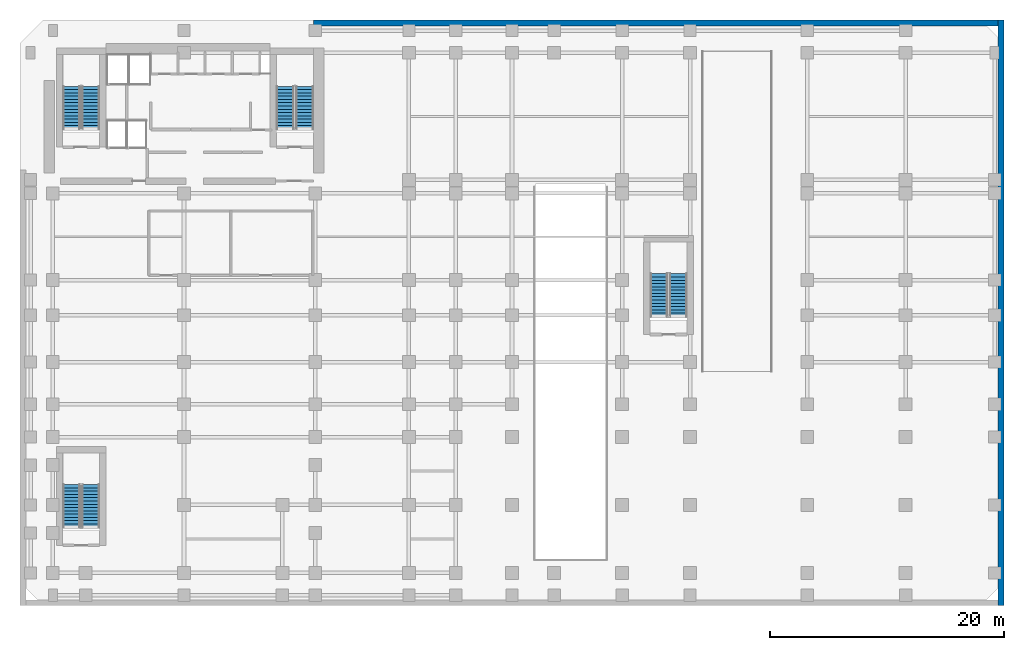
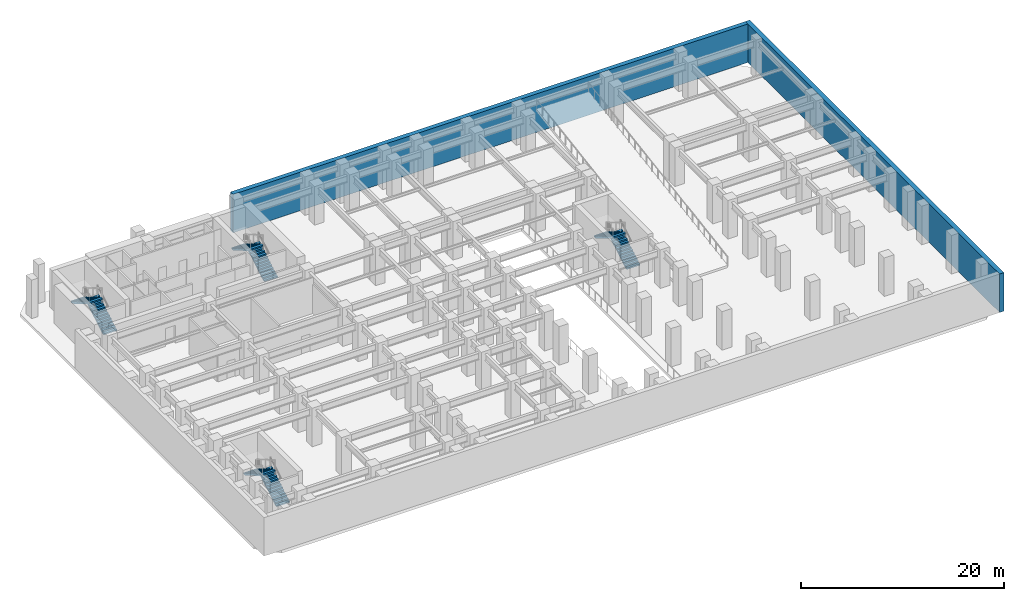
# One storey, part 8 of 12: 8 stair flights, 2 walls, 4 elements without a shape of their own.
"""IFC4 building model written with IfcOpenShell, lengths in metres."""

from ifc_helpers import new_model, si_unit, direction, frame, frame_2d, origin, place, context, subcontext, project, spatial, polyline, rectangle, outline, extrude, material, layer, layer_set, type_object, element, aggregate, save


model = new_model("IFC4")

# Units and contexts
model_context = context("Model", 3, precision=1e-05, world=origin(), true_north=direction((0.0, 1.0)))
body_context = subcontext(model_context, "Body", "Model", "MODEL_VIEW")
ifc_project = project(units=[si_unit("LENGTHUNIT", "METRE"), si_unit("AREAUNIT", "SQUARE_METRE"), si_unit("VOLUMEUNIT", "CUBIC_METRE"), si_unit("PLANEANGLEUNIT", "RADIAN"), si_unit("MASSUNIT", "GRAM", prefix="KILO")], contexts=[model_context])

# Site, building, storey
site_placement = place(None, origin())
site = spatial("IfcSite", under=ifc_project, at=site_placement, CompositionType="ELEMENT")
building_placement = place(site_placement, origin())
building = spatial("IfcBuilding", under=site, at=building_placement, Name="Kefirva Bronze Tower", CompositionType="ELEMENT")
storey_placement = place(building_placement, frame((0.0, 0.0, -4.6201171875)))
storey = spatial("IfcBuildingStorey", under=building, at=storey_placement, Name="B1", CompositionType="ELEMENT", Elevation=-4.6201171875)

# Walls
ifc_material = material(Name="Concrete C40/50", Category="concrete")
ifc_layer = layer(ifc_material, 0.5, Name="Concrete C40/50")
ifc_layer_set = layer_set([ifc_layer], Name="Concrete C40/50")
wall_type = type_object("IfcWallType", Name="RC Basement Retaining Wall 500mm", PredefinedType="SOLIDWALL", material=ifc_layer_set)
wall_1_placement = place(storey_placement, frame((81.75, -2.0, 0.0), z_axis=(0.0, 0.0, 1.0), x_axis=(0.0, 1.0, 0.0)))
element("IfcWall", 1, at=wall_1_placement, inside=storey, type_object=wall_type, Name="B1 E Retaining Wall", PredefinedType="SOLIDWALL", context=body_context, shape_type="SweptSolid", body=[
    extrude(rectangle(XDim=50.0, YDim=0.5, at=frame_2d((25.0, 0.0))), origin(), (0.0, 0.0, 1.0), 4.6201171875),
])
wall_2_placement = place(storey_placement, frame((82.0, 47.75, 0.0), z_axis=(0.0, 0.0, 1.0), x_axis=(-1.0, 0.0, 0.0)))
element("IfcWall", 2, at=wall_2_placement, inside=storey, type_object=wall_type, Name="B1 N Retaining Wall", PredefinedType="SOLIDWALL", context=body_context, shape_type="SweptSolid", body=[
    extrude(rectangle(XDim=58.949951171875, YDim=0.5, at=frame_2d((29.47509765625, 0.0))), origin(), (0.0, 0.0, 1.0), 4.6201171875),
])

# Stair, stair flights
stair_type = type_object("IfcStairType", Name="RC Dogleg Protected Stair 28R", PredefinedType="HALF_TURN_STAIR", material=ifc_material)
stair_1_placement = place(storey_placement, origin())
stair_1 = element("IfcStair", 3, at=stair_1_placement, inside=storey, type_object=stair_type, Name="B1 Protected Exit Stair 1", PredefinedType="HALF_TURN_STAIR")
stair_flight_type = type_object("IfcStairFlightType", Name="RC Straight Stair Flight 28R", PredefinedType="STRAIGHT", material=ifc_material)
stair_flight_1_placement = place(storey_placement, frame((4.050048828125, 38.699951171875, 0.0), z_axis=(0.0, 0.0, 1.0), x_axis=(0.0, 1.0, 0.0)))
stair_flight_1 = element("IfcStairFlight", 4, at=stair_flight_1_placement, type_object=stair_flight_type, Name="ST-1 flight 1", NumberOfRisers=14, NumberOfTreads=13, PredefinedType="STRAIGHT", RiserHeight=0.165, TreadLength=0.28, context=body_context, shape_type="SweptSolid", body=[
    extrude(outline(polyline([(0.0, 0.0), (0.0, 0.1650390625), (0.280029296875, 0.1650390625), (0.280029296875, 0.330078125), (0.56005859375, 0.330078125), (0.56005859375, 0.4951171875), (0.840087890625, 0.4951171875), (0.840087890625, 0.659912109375), (1.1201171875, 0.659912109375), (1.1201171875, 0.824951171875), (1.39990234375, 0.824951171875), (1.39990234375, 0.989990234375), (1.679931640625, 0.989990234375), (1.679931640625, 1.155029296875), (1.9599609375, 1.155029296875), (1.9599609375, 1.320068359375), (2.239990234375, 1.320068359375), (2.239990234375, 1.485107421875), (2.52001953125, 1.485107421875), (2.52001953125, 1.64990234375), (2.800048828125, 1.64990234375), (2.800048828125, 1.81494140625), (3.080078125, 1.81494140625), (3.080078125, 1.97998046875), (3.360107421875, 1.97998046875), (3.360107421875, 2.14501953125), (3.639892578125, 2.14501953125), (3.639892578125, 2.31005859375), (3.639892578125, 1.970947265625), (0.295166015625, 0.0), (0.0, 0.0)])), frame((0.0, 0.75, 0.0), z_axis=(0.0, -1.0, 0.0), x_axis=(1.0, 0.0, 0.0)), (0.0, 0.0, 1.0), 1.5),
])
stair_flight_2_placement = place(storey_placement, frame((2.39990234375, 42.340087890625, 2.31005859375), z_axis=(0.0, 0.0, 1.0), x_axis=(0.0, -1.0, 0.0)))
stair_flight_2 = element("IfcStairFlight", 5, at=stair_flight_2_placement, type_object=stair_flight_type, Name="ST-1 flight 2", NumberOfRisers=14, NumberOfTreads=13, PredefinedType="STRAIGHT", RiserHeight=0.165, TreadLength=0.28, context=body_context, shape_type="SweptSolid", body=[
    extrude(outline(polyline([(0.0, 0.0), (0.0, 0.1650390625), (0.280029296875, 0.1650390625), (0.280029296875, 0.330078125), (0.56005859375, 0.330078125), (0.56005859375, 0.4951171875), (0.840087890625, 0.4951171875), (0.840087890625, 0.659912109375), (1.1201171875, 0.659912109375), (1.1201171875, 0.824951171875), (1.39990234375, 0.824951171875), (1.39990234375, 0.989990234375), (1.679931640625, 0.989990234375), (1.679931640625, 1.155029296875), (1.9599609375, 1.155029296875), (1.9599609375, 1.320068359375), (2.239990234375, 1.320068359375), (2.239990234375, 1.485107421875), (2.52001953125, 1.485107421875), (2.52001953125, 1.64990234375), (2.800048828125, 1.64990234375), (2.800048828125, 1.81494140625), (3.080078125, 1.81494140625), (3.080078125, 1.97998046875), (3.360107421875, 1.97998046875), (3.360107421875, 2.14501953125), (3.639892578125, 2.14501953125), (3.639892578125, 2.31005859375), (3.639892578125, 1.970947265625), (0.295166015625, 0.0), (0.0, 0.0)])), frame((0.0, 0.75, 0.0), z_axis=(0.0, -1.0, 0.0), x_axis=(1.0, 0.0, 0.0)), (0.0, 0.0, 1.0), 1.5),
])
aggregate(stair_1, [stair_flight_1, stair_flight_2])

stair_2_placement = place(storey_placement, origin())
stair_2 = element("IfcStair", 6, at=stair_2_placement, inside=storey, type_object=stair_type, Name="B1 Protected Exit Stair 2", PredefinedType="HALF_TURN_STAIR")
stair_flight_3_placement = place(storey_placement, frame((22.300048828125, 38.699951171875, 0.0), z_axis=(0.0, 0.0, 1.0), x_axis=(0.0, 1.0, 0.0)))
stair_flight_3 = element("IfcStairFlight", 7, at=stair_flight_3_placement, type_object=stair_flight_type, Name="ST-2 flight 1", NumberOfRisers=14, NumberOfTreads=13, PredefinedType="STRAIGHT", RiserHeight=0.165, TreadLength=0.28, context=body_context, shape_type="SweptSolid", body=[
    extrude(outline(polyline([(0.0, 0.0), (0.0, 0.1650390625), (0.280029296875, 0.1650390625), (0.280029296875, 0.330078125), (0.56005859375, 0.330078125), (0.56005859375, 0.4951171875), (0.840087890625, 0.4951171875), (0.840087890625, 0.659912109375), (1.1201171875, 0.659912109375), (1.1201171875, 0.824951171875), (1.39990234375, 0.824951171875), (1.39990234375, 0.989990234375), (1.679931640625, 0.989990234375), (1.679931640625, 1.155029296875), (1.9599609375, 1.155029296875), (1.9599609375, 1.320068359375), (2.239990234375, 1.320068359375), (2.239990234375, 1.485107421875), (2.52001953125, 1.485107421875), (2.52001953125, 1.64990234375), (2.800048828125, 1.64990234375), (2.800048828125, 1.81494140625), (3.080078125, 1.81494140625), (3.080078125, 1.97998046875), (3.360107421875, 1.97998046875), (3.360107421875, 2.14501953125), (3.639892578125, 2.14501953125), (3.639892578125, 2.31005859375), (3.639892578125, 1.970947265625), (0.295166015625, 0.0), (0.0, 0.0)])), frame((0.0, 0.75, 0.0), z_axis=(0.0, -1.0, 0.0), x_axis=(1.0, 0.0, 0.0)), (0.0, 0.0, 1.0), 1.5),
])
stair_flight_4_placement = place(storey_placement, frame((20.64990234375, 42.340087890625, 2.31005859375), z_axis=(0.0, 0.0, 1.0), x_axis=(0.0, -1.0, 0.0)))
stair_flight_4 = element("IfcStairFlight", 8, at=stair_flight_4_placement, type_object=stair_flight_type, Name="ST-2 flight 2", NumberOfRisers=14, NumberOfTreads=13, PredefinedType="STRAIGHT", RiserHeight=0.165, TreadLength=0.28, context=body_context, shape_type="SweptSolid", body=[
    extrude(outline(polyline([(0.0, 0.0), (0.0, 0.1650390625), (0.280029296875, 0.1650390625), (0.280029296875, 0.330078125), (0.56005859375, 0.330078125), (0.56005859375, 0.4951171875), (0.840087890625, 0.4951171875), (0.840087890625, 0.659912109375), (1.1201171875, 0.659912109375), (1.1201171875, 0.824951171875), (1.39990234375, 0.824951171875), (1.39990234375, 0.989990234375), (1.679931640625, 0.989990234375), (1.679931640625, 1.155029296875), (1.9599609375, 1.155029296875), (1.9599609375, 1.320068359375), (2.239990234375, 1.320068359375), (2.239990234375, 1.485107421875), (2.52001953125, 1.485107421875), (2.52001953125, 1.64990234375), (2.800048828125, 1.64990234375), (2.800048828125, 1.81494140625), (3.080078125, 1.81494140625), (3.080078125, 1.97998046875), (3.360107421875, 1.97998046875), (3.360107421875, 2.14501953125), (3.639892578125, 2.14501953125), (3.639892578125, 2.31005859375), (3.639892578125, 1.970947265625), (0.295166015625, 0.0), (0.0, 0.0)])), frame((0.0, 0.75, 0.0), z_axis=(0.0, -1.0, 0.0), x_axis=(1.0, 0.0, 0.0)), (0.0, 0.0, 1.0), 1.5),
])
aggregate(stair_2, [stair_flight_3, stair_flight_4])

stair_3_placement = place(storey_placement, origin())
stair_3 = element("IfcStair", 9, at=stair_3_placement, inside=storey, type_object=stair_type, Name="B1 Podium Exit Stair 3", PredefinedType="HALF_TURN_STAIR")
stair_flight_5_placement = place(storey_placement, frame((4.050048828125, 4.699951171875, 0.0), z_axis=(0.0, 0.0, 1.0), x_axis=(0.0, 1.0, 0.0)))
stair_flight_5 = element("IfcStairFlight", 10, at=stair_flight_5_placement, type_object=stair_flight_type, Name="ST-3 flight 1", NumberOfRisers=14, NumberOfTreads=13, PredefinedType="STRAIGHT", RiserHeight=0.165, TreadLength=0.28, context=body_context, shape_type="SweptSolid", body=[
    extrude(outline(polyline([(0.0, 0.0), (0.0, 0.1650390625), (0.280029296875, 0.1650390625), (0.280029296875, 0.330078125), (0.56005859375, 0.330078125), (0.56005859375, 0.4951171875), (0.840087890625, 0.4951171875), (0.840087890625, 0.659912109375), (1.1201171875, 0.659912109375), (1.1201171875, 0.824951171875), (1.39990234375, 0.824951171875), (1.39990234375, 0.989990234375), (1.679931640625, 0.989990234375), (1.679931640625, 1.155029296875), (1.9599609375, 1.155029296875), (1.9599609375, 1.320068359375), (2.239990234375, 1.320068359375), (2.239990234375, 1.485107421875), (2.52001953125, 1.485107421875), (2.52001953125, 1.64990234375), (2.800048828125, 1.64990234375), (2.800048828125, 1.81494140625), (3.080078125, 1.81494140625), (3.080078125, 1.97998046875), (3.360107421875, 1.97998046875), (3.360107421875, 2.14501953125), (3.639892578125, 2.14501953125), (3.639892578125, 2.31005859375), (3.639892578125, 1.970947265625), (0.295166015625, 0.0), (0.0, 0.0)])), frame((0.0, 0.75, 0.0), z_axis=(0.0, -1.0, 0.0), x_axis=(1.0, 0.0, 0.0)), (0.0, 0.0, 1.0), 1.5),
])
stair_flight_6_placement = place(storey_placement, frame((2.39990234375, 8.340087890625, 2.31005859375), z_axis=(0.0, 0.0, 1.0), x_axis=(0.0, -1.0, 0.0)))
stair_flight_6 = element("IfcStairFlight", 11, at=stair_flight_6_placement, type_object=stair_flight_type, Name="ST-3 flight 2", NumberOfRisers=14, NumberOfTreads=13, PredefinedType="STRAIGHT", RiserHeight=0.165, TreadLength=0.28, context=body_context, shape_type="SweptSolid", body=[
    extrude(outline(polyline([(0.0, 0.0), (0.0, 0.1650390625), (0.280029296875, 0.1650390625), (0.280029296875, 0.330078125), (0.56005859375, 0.330078125), (0.56005859375, 0.4951171875), (0.840087890625, 0.4951171875), (0.840087890625, 0.659912109375), (1.1201171875, 0.659912109375), (1.1201171875, 0.824951171875), (1.39990234375, 0.824951171875), (1.39990234375, 0.989990234375), (1.679931640625, 0.989990234375), (1.679931640625, 1.155029296875), (1.9599609375, 1.155029296875), (1.9599609375, 1.320068359375), (2.239990234375, 1.320068359375), (2.239990234375, 1.485107421875), (2.52001953125, 1.485107421875), (2.52001953125, 1.64990234375), (2.800048828125, 1.64990234375), (2.800048828125, 1.81494140625), (3.080078125, 1.81494140625), (3.080078125, 1.97998046875), (3.360107421875, 1.97998046875), (3.360107421875, 2.14501953125), (3.639892578125, 2.14501953125), (3.639892578125, 2.31005859375), (3.639892578125, 1.970947265625), (0.295166015625, 0.0), (0.0, 0.0)])), frame((0.0, 0.75, 0.0), z_axis=(0.0, -1.0, 0.0), x_axis=(1.0, 0.0, 0.0)), (0.0, 0.0, 1.0), 1.5),
])
aggregate(stair_3, [stair_flight_5, stair_flight_6])

stair_4_placement = place(storey_placement, origin())
stair_4 = element("IfcStair", 12, at=stair_4_placement, inside=storey, type_object=stair_type, Name="B1 Podium Exit Stair 4", PredefinedType="HALF_TURN_STAIR")
stair_flight_7_placement = place(storey_placement, frame((54.199951171875, 22.699951171875, 0.0), z_axis=(0.0, 0.0, 1.0), x_axis=(0.0, 1.0, 0.0)))
stair_flight_7 = element("IfcStairFlight", 13, at=stair_flight_7_placement, type_object=stair_flight_type, Name="ST-4 flight 1", NumberOfRisers=14, NumberOfTreads=13, PredefinedType="STRAIGHT", RiserHeight=0.165, TreadLength=0.28, context=body_context, shape_type="SweptSolid", body=[
    extrude(outline(polyline([(0.0, 0.0), (0.0, 0.1650390625), (0.280029296875, 0.1650390625), (0.280029296875, 0.330078125), (0.56005859375, 0.330078125), (0.56005859375, 0.4951171875), (0.840087890625, 0.4951171875), (0.840087890625, 0.659912109375), (1.1201171875, 0.659912109375), (1.1201171875, 0.824951171875), (1.39990234375, 0.824951171875), (1.39990234375, 0.989990234375), (1.679931640625, 0.989990234375), (1.679931640625, 1.155029296875), (1.9599609375, 1.155029296875), (1.9599609375, 1.320068359375), (2.239990234375, 1.320068359375), (2.239990234375, 1.485107421875), (2.52001953125, 1.485107421875), (2.52001953125, 1.64990234375), (2.800048828125, 1.64990234375), (2.800048828125, 1.81494140625), (3.080078125, 1.81494140625), (3.080078125, 1.97998046875), (3.360107421875, 1.97998046875), (3.360107421875, 2.14501953125), (3.639892578125, 2.14501953125), (3.639892578125, 2.31005859375), (3.639892578125, 1.970947265625), (0.295166015625, 0.0), (0.0, 0.0)])), frame((0.0, 0.75, 0.0), z_axis=(0.0, -1.0, 0.0), x_axis=(1.0, 0.0, 0.0)), (0.0, 0.0, 1.0), 1.5),
])
stair_flight_8_placement = place(storey_placement, frame((52.550048828125, 26.340087890625, 2.31005859375), z_axis=(0.0, 0.0, 1.0), x_axis=(0.0, -1.0, 0.0)))
stair_flight_8 = element("IfcStairFlight", 14, at=stair_flight_8_placement, type_object=stair_flight_type, Name="ST-4 flight 2", NumberOfRisers=14, NumberOfTreads=13, PredefinedType="STRAIGHT", RiserHeight=0.165, TreadLength=0.28, context=body_context, shape_type="SweptSolid", body=[
    extrude(outline(polyline([(0.0, 0.0), (0.0, 0.1650390625), (0.280029296875, 0.1650390625), (0.280029296875, 0.330078125), (0.56005859375, 0.330078125), (0.56005859375, 0.4951171875), (0.840087890625, 0.4951171875), (0.840087890625, 0.659912109375), (1.1201171875, 0.659912109375), (1.1201171875, 0.824951171875), (1.39990234375, 0.824951171875), (1.39990234375, 0.989990234375), (1.679931640625, 0.989990234375), (1.679931640625, 1.155029296875), (1.9599609375, 1.155029296875), (1.9599609375, 1.320068359375), (2.239990234375, 1.320068359375), (2.239990234375, 1.485107421875), (2.52001953125, 1.485107421875), (2.52001953125, 1.64990234375), (2.800048828125, 1.64990234375), (2.800048828125, 1.81494140625), (3.080078125, 1.81494140625), (3.080078125, 1.97998046875), (3.360107421875, 1.97998046875), (3.360107421875, 2.14501953125), (3.639892578125, 2.14501953125), (3.639892578125, 2.31005859375), (3.639892578125, 1.970947265625), (0.295166015625, 0.0), (0.0, 0.0)])), frame((0.0, 0.75, 0.0), z_axis=(0.0, -1.0, 0.0), x_axis=(1.0, 0.0, 0.0)), (0.0, 0.0, 1.0), 1.5),
])
aggregate(stair_4, [stair_flight_7, stair_flight_8])

save(model, "model.ifc")
